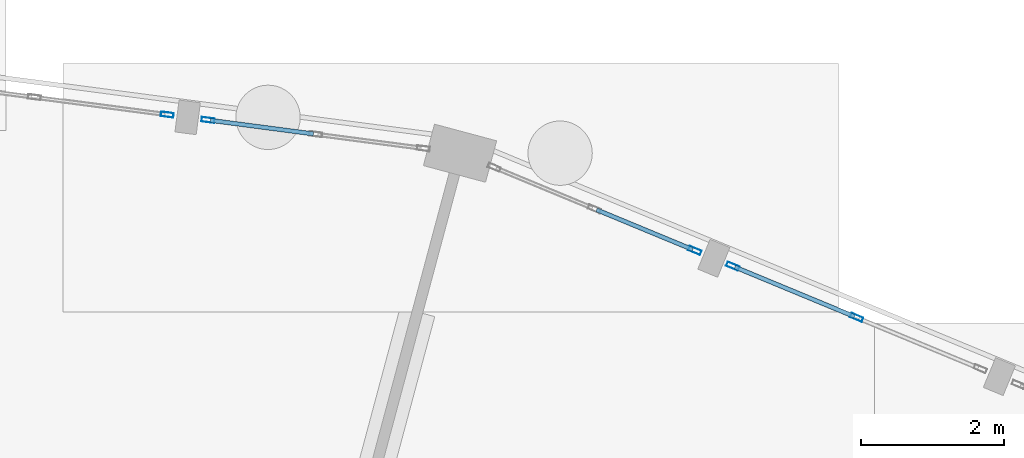
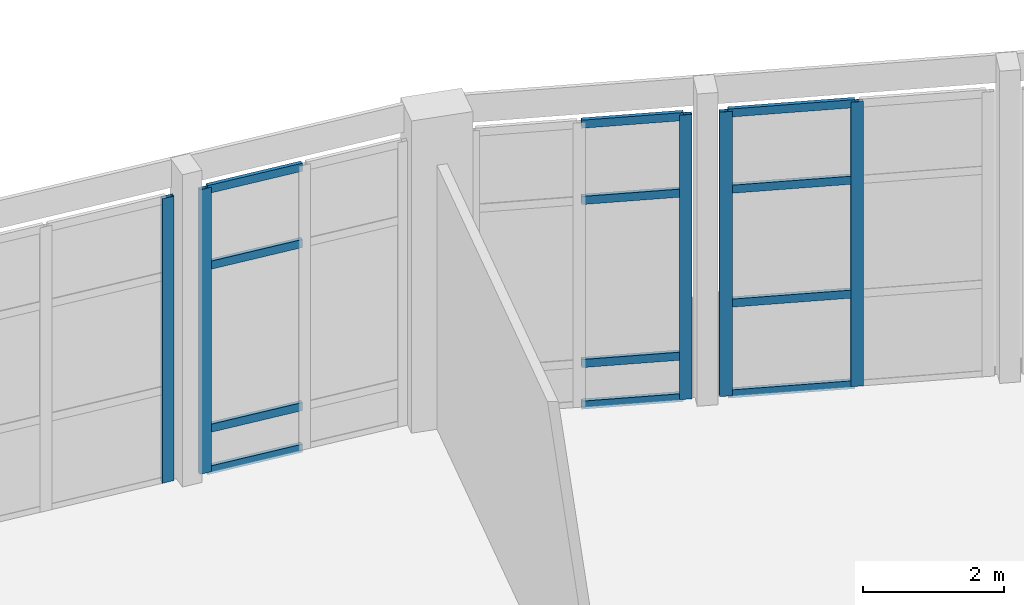
# One storey, part 63 of 137: 17 members, 4 elements without a shape of their own.
"""IFC4 building model written with IfcOpenShell, lengths in metres."""

from ifc_helpers import new_model, si_unit, direction, frame, origin, origin_2d, place, context, subcontext, project, spatial, hollow_rectangle, extrude, material, material_profile, profile_set, type_object, element, aggregate, save


model = new_model("IFC4")

# Units and contexts
model_context = context("Model", 3, precision=1e-05, world=origin(), true_north=direction((0.0, 1.0)))
body_context = subcontext(model_context, "Body", "Model", "MODEL_VIEW")
ifc_project = project(units=[si_unit("LENGTHUNIT", "METRE"), si_unit("AREAUNIT", "SQUARE_METRE"), si_unit("VOLUMEUNIT", "CUBIC_METRE"), si_unit("PLANEANGLEUNIT", "RADIAN"), si_unit("MASSUNIT", "GRAM", prefix="KILO")], contexts=[model_context])

# Site, building, storey
site_placement = place(None, origin())
site = spatial("IfcSite", under=ifc_project, at=site_placement, CompositionType="ELEMENT")
building_placement = place(site_placement, origin())
building = spatial("IfcBuilding", under=site, at=building_placement, Name="Vondelvale Polytechnic", CompositionType="ELEMENT")
storey_placement = place(building_placement, origin())
storey = spatial("IfcBuildingStorey", under=building, at=storey_placement, Name="L00", CompositionType="ELEMENT", Elevation=0.0)

# Curtain wall, members
ifc_material_1 = material(Name="Glulam GL18 structural Tasmanian oak (fb = 42 MPa)", Category="wood")
curtain_wall_type = type_object("IfcCurtainWallType", Name="CW-RING-OUTER", PredefinedType="NOTDEFINED", material=ifc_material_1)
curtain_wall_1_placement = place(storey_placement, origin())
curtain_wall_1 = element("IfcCurtainWall", 1, at=curtain_wall_1_placement, inside=storey, type_object=curtain_wall_type, Name="L00 architectural curtain wall CW-04-113", PredefinedType="NOTDEFINED")
ifc_material_2 = material(Name="Anodised extruded aluminium 6063-T6", Category="aluminium")
ifc_material_profile_1 = material_profile(ifc_material_2, hollow_rectangle(XDim=0.06494140625, YDim=0.179931640625, WallThickness=0.00390625, at=origin_2d()), Name="CW-MUL-180x65")
ifc_profile_set_1 = profile_set([ifc_material_profile_1], Name="Anodised extruded aluminium 6063-T6")
member_type_1 = type_object("IfcMemberType", Name="CW-MUL-65x180", PredefinedType="MULLION", material=ifc_profile_set_1)
member_1_placement = place(storey_placement, frame((119.452880859375, 114.135009765625, 0.0), z_axis=(0.0, 0.0, 1.0), x_axis=(-0.382694599123, -0.92387490701, 0.0)))
member_1 = element("IfcMember", 2, at=member_1_placement, type_object=member_type_1, Name="CW-04-113 mullion 2", PredefinedType="MULLION", context=body_context, shape_type="SweptSolid", body=[
    extrude(hollow_rectangle(XDim=0.06494140625, YDim=0.179931640625, WallThickness=0.00390625, at=origin_2d()), origin(), (0.0, 0.0, 1.0), 4.919921875),
])
member_2_placement = place(storey_placement, frame((117.721435546875, 114.85205078125, 0.0), z_axis=(0.0, 0.0, 1.0), x_axis=(-0.382694599123, -0.92387490701, 0.0)))
member_2 = element("IfcMember", 3, at=member_2_placement, type_object=member_type_1, Name="CW-04-113 mullion 3", PredefinedType="MULLION", context=body_context, shape_type="SweptSolid", body=[
    extrude(hollow_rectangle(XDim=0.06494140625, YDim=0.179931640625, WallThickness=0.00390625, at=origin_2d()), origin(), (0.0, 0.0, 1.0), 4.919921875),
])

# Curtain wall, member
curtain_wall_2_placement = place(storey_placement, origin())
curtain_wall_2 = element("IfcCurtainWall", 4, at=curtain_wall_2_placement, inside=storey, type_object=curtain_wall_type, Name="L00 architectural curtain wall CW-04-114", PredefinedType="NOTDEFINED")
member_3_placement = place(storey_placement, frame((117.190185546875, 115.072021484375, 0.0), z_axis=(0.0, 0.0, 1.0), x_axis=(-0.382679040691, -0.92388135159, 0.0)))
member_3 = element("IfcMember", 5, at=member_3_placement, type_object=member_type_1, Name="CW-04-114 mullion 1", PredefinedType="MULLION", context=body_context, shape_type="SweptSolid", body=[
    extrude(hollow_rectangle(XDim=0.06494140625, YDim=0.179931640625, WallThickness=0.00390625, at=origin_2d()), origin(), (0.0, 0.0, 1.0), 4.919921875),
])

curtain_wall_3_placement = place(storey_placement, origin())
curtain_wall_3 = element("IfcCurtainWall", 6, at=curtain_wall_3_placement, inside=storey, type_object=curtain_wall_type, Name="L00 architectural curtain wall CW-04-132", PredefinedType="NOTDEFINED")
member_4_placement = place(storey_placement, frame((110.380859375, 116.896728515625, 0.0), z_axis=(0.0, 0.0, 1.0), x_axis=(-0.130523690099, -0.991445190781, 0.0)))
member_4 = element("IfcMember", 7, at=member_4_placement, type_object=member_type_1, Name="CW-04-132 mullion 3", PredefinedType="MULLION", context=body_context, shape_type="SweptSolid", body=[
    extrude(hollow_rectangle(XDim=0.06494140625, YDim=0.179931640625, WallThickness=0.00390625, at=origin_2d()), origin(), (0.0, 0.0, 1.0), 4.919921875),
])

curtain_wall_4_placement = place(storey_placement, origin())
curtain_wall_4 = element("IfcCurtainWall", 8, at=curtain_wall_4_placement, inside=storey, type_object=curtain_wall_type, Name="L00 architectural curtain wall CW-04-133", PredefinedType="NOTDEFINED")
member_5_placement = place(storey_placement, frame((109.810791015625, 116.9716796875, 0.0), z_axis=(0.0, 0.0, 1.0), x_axis=(-0.130497251349, -0.991448671082, 0.0)))
member_5 = element("IfcMember", 9, at=member_5_placement, type_object=member_type_1, Name="CW-04-133 mullion 1", PredefinedType="MULLION", context=body_context, shape_type="SweptSolid", body=[
    extrude(hollow_rectangle(XDim=0.06494140625, YDim=0.179931640625, WallThickness=0.00390625, at=origin_2d()), origin(), (0.0, 0.0, 1.0), 4.919921875),
])
aggregate(curtain_wall_4, [member_5])

# Member
ifc_material_profile_2 = material_profile(ifc_material_2, hollow_rectangle(XDim=0.06005859375, YDim=0.139892578125, WallThickness=0.00341796875, at=origin_2d()), Name="CW-TRN-140x60")
ifc_profile_set_2 = profile_set([ifc_material_profile_2], Name="Anodised extruded aluminium 6063-T6")
member_type_2 = type_object("IfcMemberType", Name="CW-TRN-60x140", PredefinedType="USERDEFINED", material=ifc_profile_set_2)
member_6_placement = place(storey_placement, frame((119.4228515625, 114.147216796875, 0.030029296875), z_axis=(-0.923865506878, 0.382717291485, 0.0), x_axis=(-0.382717291485, -0.923865506878, 0.0)))
member_6 = element("IfcMember", 10, at=member_6_placement, type_object=member_type_2, Name="CW-04-113 transom 2.1", ObjectType="TRANSOM", PredefinedType="USERDEFINED", context=body_context, shape_type="SweptSolid", body=[
    extrude(hollow_rectangle(XDim=0.06005859375, YDim=0.139892578125, WallThickness=0.00341796875, at=origin_2d()), origin(), (0.0, 0.0, 1.0), 1.80908203125),
])

member_7_placement = place(storey_placement, frame((119.4228515625, 114.147216796875, 1.60009765625), z_axis=(-0.923865506878, 0.382717291485, 0.0), x_axis=(-0.382717291485, -0.923865506878, 0.0)))
member_7 = element("IfcMember", 11, at=member_7_placement, type_object=member_type_2, Name="CW-04-113 transom 2.2", ObjectType="TRANSOM", PredefinedType="USERDEFINED", context=body_context, shape_type="SweptSolid", body=[
    extrude(hollow_rectangle(XDim=0.06005859375, YDim=0.139892578125, WallThickness=0.00341796875, at=origin_2d()), origin(), (0.0, 0.0, 1.0), 1.80908203125),
])

member_8_placement = place(storey_placement, frame((119.4228515625, 114.147216796875, 3.570068359375), z_axis=(-0.923865506878, 0.382717291485, 0.0), x_axis=(-0.382717291485, -0.923865506878, 0.0)))
member_8 = element("IfcMember", 12, at=member_8_placement, type_object=member_type_2, Name="CW-04-113 transom 2.3", ObjectType="TRANSOM", PredefinedType="USERDEFINED", context=body_context, shape_type="SweptSolid", body=[
    extrude(hollow_rectangle(XDim=0.06005859375, YDim=0.139892578125, WallThickness=0.00341796875, at=origin_2d()), origin(), (0.0, 0.0, 1.0), 1.80908203125),
])

member_9_placement = place(storey_placement, frame((119.4228515625, 114.147216796875, 4.889892578125), z_axis=(-0.923865506878, 0.382717291485, 0.0), x_axis=(-0.382717291485, -0.923865506878, 0.0)))
member_9 = element("IfcMember", 13, at=member_9_placement, type_object=member_type_2, Name="CW-04-113 transom 2.4", ObjectType="TRANSOM", PredefinedType="USERDEFINED", context=body_context, shape_type="SweptSolid", body=[
    extrude(hollow_rectangle(XDim=0.06005859375, YDim=0.139892578125, WallThickness=0.00341796875, at=origin_2d()), origin(), (0.0, 0.0, 1.0), 1.80908203125),
])

aggregate(curtain_wall_1, [member_1, member_2, member_6, member_7, member_8, member_9])

member_10_placement = place(storey_placement, frame((117.16015625, 115.08447265625, 0.030029296875), z_axis=(-0.923844938863, 0.382766938144, 0.0), x_axis=(-0.382766938144, -0.923844938863, 0.0)))
member_10 = element("IfcMember", 14, at=member_10_placement, type_object=member_type_2, Name="CW-04-114 transom 1.1", ObjectType="TRANSOM", PredefinedType="USERDEFINED", context=body_context, shape_type="SweptSolid", body=[
    extrude(hollow_rectangle(XDim=0.06005859375, YDim=0.139892578125, WallThickness=0.00341796875, at=origin_2d()), origin(), (0.0, 0.0, 1.0), 1.454345703125),
])

member_11_placement = place(storey_placement, frame((117.16015625, 115.08447265625, 0.75), z_axis=(-0.923844938863, 0.382766938144, 0.0), x_axis=(-0.382766938144, -0.923844938863, 0.0)))
member_11 = element("IfcMember", 15, at=member_11_placement, type_object=member_type_2, Name="CW-04-114 transom 1.2", ObjectType="TRANSOM", PredefinedType="USERDEFINED", context=body_context, shape_type="SweptSolid", body=[
    extrude(hollow_rectangle(XDim=0.06005859375, YDim=0.139892578125, WallThickness=0.00341796875, at=origin_2d()), origin(), (0.0, 0.0, 1.0), 1.454345703125),
])

member_12_placement = place(storey_placement, frame((117.16015625, 115.08447265625, 3.570068359375), z_axis=(-0.923844938863, 0.382766938144, 0.0), x_axis=(-0.382766938144, -0.923844938863, 0.0)))
member_12 = element("IfcMember", 16, at=member_12_placement, type_object=member_type_2, Name="CW-04-114 transom 1.3", ObjectType="TRANSOM", PredefinedType="USERDEFINED", context=body_context, shape_type="SweptSolid", body=[
    extrude(hollow_rectangle(XDim=0.06005859375, YDim=0.139892578125, WallThickness=0.00341796875, at=origin_2d()), origin(), (0.0, 0.0, 1.0), 1.454345703125),
])

member_13_placement = place(storey_placement, frame((117.16015625, 115.08447265625, 4.889892578125), z_axis=(-0.923844938863, 0.382766938144, 0.0), x_axis=(-0.382766938144, -0.923844938863, 0.0)))
member_13 = element("IfcMember", 17, at=member_13_placement, type_object=member_type_2, Name="CW-04-114 transom 1.4", ObjectType="TRANSOM", PredefinedType="USERDEFINED", context=body_context, shape_type="SweptSolid", body=[
    extrude(hollow_rectangle(XDim=0.06005859375, YDim=0.139892578125, WallThickness=0.00341796875, at=origin_2d()), origin(), (0.0, 0.0, 1.0), 1.454345703125),
])

aggregate(curtain_wall_2, [member_3, member_10, member_11, member_12, member_13])

member_14_placement = place(storey_placement, frame((111.85498046875, 116.70263671875, 0.030029296875), z_axis=(-0.991456580928, 0.130437142462, 0.0), x_axis=(-0.130437142462, -0.991456580928, 0.0)))
member_14 = element("IfcMember", 18, at=member_14_placement, type_object=member_type_2, Name="CW-04-132 transom 2.1", ObjectType="TRANSOM", PredefinedType="USERDEFINED", context=body_context, shape_type="SweptSolid", body=[
    extrude(hollow_rectangle(XDim=0.06005859375, YDim=0.139892578125, WallThickness=0.00341796875, at=origin_2d()), origin(), (0.0, 0.0, 1.0), 1.454345703125),
])

member_15_placement = place(storey_placement, frame((111.85498046875, 116.70263671875, 0.75), z_axis=(-0.991456580928, 0.130437142462, 0.0), x_axis=(-0.130437142462, -0.991456580928, 0.0)))
member_15 = element("IfcMember", 19, at=member_15_placement, type_object=member_type_2, Name="CW-04-132 transom 2.2", ObjectType="TRANSOM", PredefinedType="USERDEFINED", context=body_context, shape_type="SweptSolid", body=[
    extrude(hollow_rectangle(XDim=0.06005859375, YDim=0.139892578125, WallThickness=0.00341796875, at=origin_2d()), origin(), (0.0, 0.0, 1.0), 1.454345703125),
])

member_16_placement = place(storey_placement, frame((111.85498046875, 116.70263671875, 3.570068359375), z_axis=(-0.991456580928, 0.130437142462, 0.0), x_axis=(-0.130437142462, -0.991456580928, 0.0)))
member_16 = element("IfcMember", 20, at=member_16_placement, type_object=member_type_2, Name="CW-04-132 transom 2.3", ObjectType="TRANSOM", PredefinedType="USERDEFINED", context=body_context, shape_type="SweptSolid", body=[
    extrude(hollow_rectangle(XDim=0.06005859375, YDim=0.139892578125, WallThickness=0.00341796875, at=origin_2d()), origin(), (0.0, 0.0, 1.0), 1.454345703125),
])

member_17_placement = place(storey_placement, frame((111.85498046875, 116.70263671875, 4.889892578125), z_axis=(-0.991456580928, 0.130437142462, 0.0), x_axis=(-0.130437142462, -0.991456580928, 0.0)))
member_17 = element("IfcMember", 21, at=member_17_placement, type_object=member_type_2, Name="CW-04-132 transom 2.4", ObjectType="TRANSOM", PredefinedType="USERDEFINED", context=body_context, shape_type="SweptSolid", body=[
    extrude(hollow_rectangle(XDim=0.06005859375, YDim=0.139892578125, WallThickness=0.00341796875, at=origin_2d()), origin(), (0.0, 0.0, 1.0), 1.454345703125),
])

aggregate(curtain_wall_3, [member_4, member_14, member_15, member_16, member_17])

save(model, "model.ifc")
